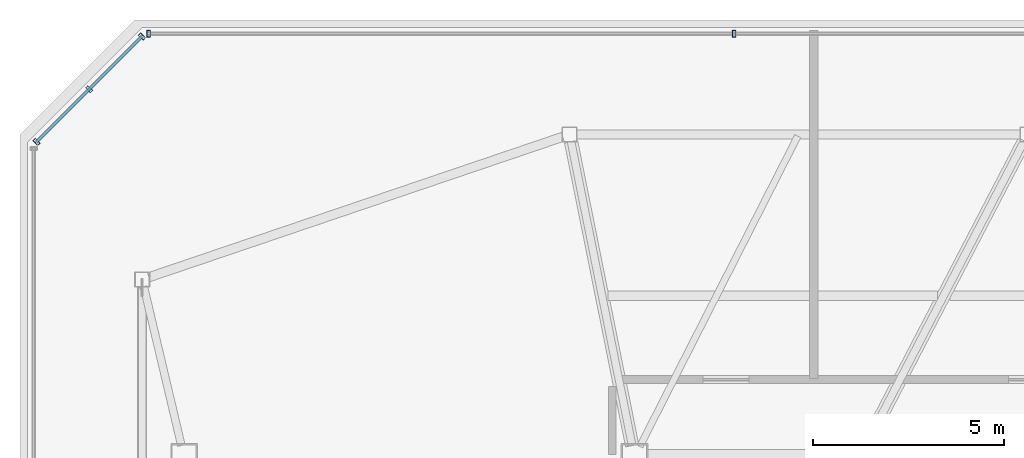
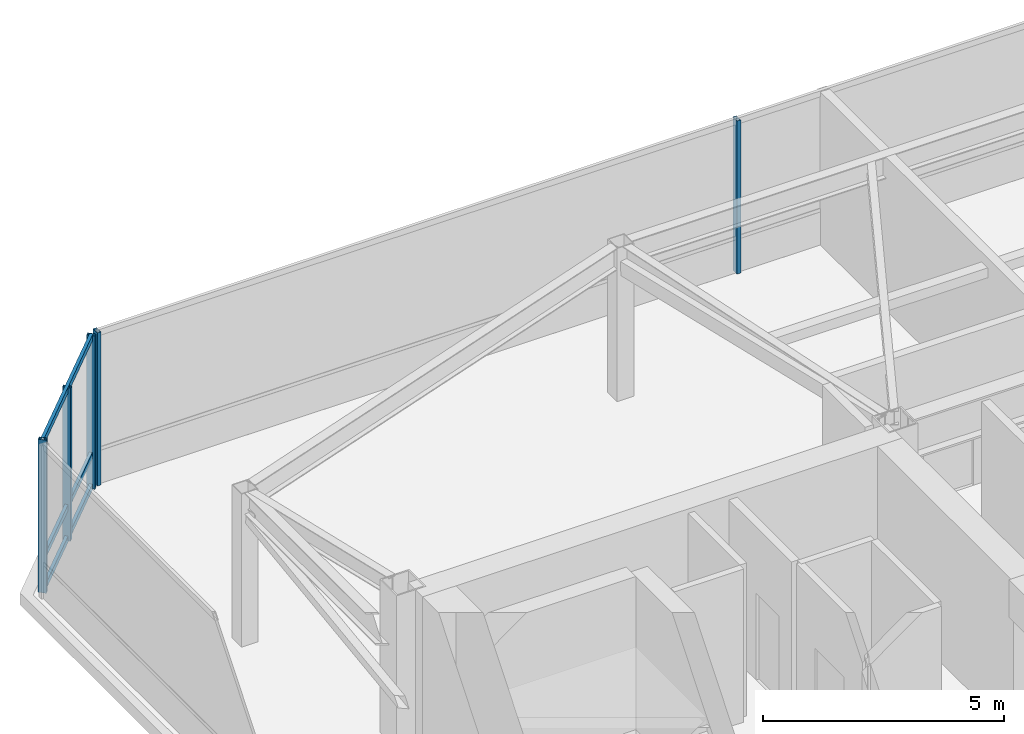
# One storey, part 14 of 22: 8 members, 2 elements without a shape of their own.
"""IFC4 building model written with IfcOpenShell, lengths in metres."""

from ifc_helpers import new_model, si_unit, direction, frame, origin, origin_2d, place, context, subcontext, project, spatial, hollow_rectangle, extrude, material, layer, layer_set, material_profile, profile_set, type_object, element, aggregate, save


model = new_model("IFC4")

# Units and contexts
model_context = context("Model", 3, precision=1e-05, world=origin(), true_north=direction((0.0, 1.0)))
body_context = subcontext(model_context, "Body", "Model", "MODEL_VIEW")
ifc_project = project(units=[si_unit("LENGTHUNIT", "METRE"), si_unit("AREAUNIT", "SQUARE_METRE"), si_unit("VOLUMEUNIT", "CUBIC_METRE"), si_unit("PLANEANGLEUNIT", "RADIAN"), si_unit("MASSUNIT", "GRAM", prefix="KILO")], contexts=[model_context])

# Site, building, storey
site_placement = place(None, origin())
site = spatial("IfcSite", under=ifc_project, at=site_placement, CompositionType="ELEMENT")
building_placement = place(site_placement, origin())
building = spatial("IfcBuilding", under=site, at=building_placement, Name="Tavrogorsk Clinical Tower", CompositionType="ELEMENT")
storey_placement = place(building_placement, frame((0.0, 0.0, 352.800048828125)))
storey = spatial("IfcBuildingStorey", under=building, at=storey_placement, Name="L82", CompositionType="ELEMENT", Elevation=352.800048828125)

# Curtain wall, members
ifc_material_1 = material(Name="Anodised aluminium and triple IGU glazing", Category="aluminium")
ifc_layer = layer(ifc_material_1, 0.179931640625)
ifc_layer_set = layer_set([ifc_layer], Name="Anodised aluminium and triple IGU glazing")
curtain_wall_type = type_object("IfcCurtainWallType", Name="CW5_SkyLobby", PredefinedType="NOTDEFINED", material=ifc_layer_set)
curtain_wall_1_placement = place(storey_placement, origin())
curtain_wall_1 = element("IfcCurtainWall", 1, at=curtain_wall_1_placement, inside=storey, type_object=curtain_wall_type, Name="L82 Curtain Wall CW-L82-DRUM-3", PredefinedType="NOTDEFINED")
ifc_material_2 = material(Name="Anodised aluminium alloy AW-6060", Category="aluminium")
ifc_material_profile_1 = material_profile(ifc_material_2, hollow_rectangle(XDim=0.090087890625, YDim=0.179931640625, WallThickness=0.00634765625, at=origin_2d()), Name="RHS-180x90x6.3")
ifc_profile_set_1 = profile_set([ifc_material_profile_1], Name="Anodised aluminium alloy AW-6060")
member_type_1 = type_object("IfcMemberType", Name="CwMullion_180x90", PredefinedType="MULLION", material=ifc_profile_set_1)
member_1_placement = place(storey_placement, frame((-25.9658203125, 14.60791015625, 0.0), z_axis=(0.0, 0.0, 1.0), x_axis=(0.707106781187, 0.707106781187, 0.0)))
member_1 = element("IfcMember", 2, at=member_1_placement, type_object=member_type_1, Name="CW-L82-DRUM-3 Mullion 1", PredefinedType="MULLION", context=body_context, shape_type="SweptSolid", body=[
    extrude(hollow_rectangle(XDim=0.090087890625, YDim=0.179931640625, WallThickness=0.00634765625, at=origin_2d()), origin(), (0.0, 0.0, 1.0), 3.8798828125),
])
member_2_placement = place(storey_placement, frame((-24.5869140625, 15.98681640625, 0.0), z_axis=(0.0, 0.0, 1.0), x_axis=(0.707106781187, 0.707106781187, 0.0)))
member_2 = element("IfcMember", 3, at=member_2_placement, type_object=member_type_1, Name="CW-L82-DRUM-3 Mullion 2", PredefinedType="MULLION", context=body_context, shape_type="SweptSolid", body=[
    extrude(hollow_rectangle(XDim=0.090087890625, YDim=0.179931640625, WallThickness=0.00634765625, at=origin_2d()), origin(), (0.0, 0.0, 1.0), 3.8798828125),
])
member_3_placement = place(storey_placement, frame((-23.2080078125, 17.36572265625, 0.0), z_axis=(0.0, 0.0, 1.0), x_axis=(0.707106781187, 0.707106781187, 0.0)))
member_3 = element("IfcMember", 4, at=member_3_placement, type_object=member_type_1, Name="CW-L82-DRUM-3 Mullion 3", PredefinedType="MULLION", context=body_context, shape_type="SweptSolid", body=[
    extrude(hollow_rectangle(XDim=0.090087890625, YDim=0.179931640625, WallThickness=0.00634765625, at=origin_2d()), origin(), (0.0, 0.0, 1.0), 3.8798828125),
])

curtain_wall_2_placement = place(storey_placement, origin())
curtain_wall_2 = element("IfcCurtainWall", 5, at=curtain_wall_2_placement, inside=storey, type_object=curtain_wall_type, Name="L82 Curtain Wall CW-L82-DRUM-4", PredefinedType="NOTDEFINED")
member_4_placement = place(storey_placement, frame((-23.02880859375, 17.43994140625, 0.0), z_axis=(0.0, 0.0, 1.0), x_axis=(1.0, 0.0, 0.0)))
member_4 = element("IfcMember", 6, at=member_4_placement, type_object=member_type_1, Name="CW-L82-DRUM-4 Mullion 1", PredefinedType="MULLION", context=body_context, shape_type="SweptSolid", body=[
    extrude(hollow_rectangle(XDim=0.090087890625, YDim=0.179931640625, WallThickness=0.00634765625, at=origin_2d()), origin(), (0.0, 0.0, 1.0), 3.8798828125),
])
member_5_placement = place(storey_placement, frame((-7.691162109375, 17.43994140625, 0.0), z_axis=(0.0, 0.0, 1.0), x_axis=(1.0, 0.0, 0.0)))
member_5 = element("IfcMember", 7, at=member_5_placement, type_object=member_type_1, Name="CW-L82-DRUM-4 Mullion 2", PredefinedType="MULLION", context=body_context, shape_type="SweptSolid", body=[
    extrude(hollow_rectangle(XDim=0.090087890625, YDim=0.179931640625, WallThickness=0.00634765625, at=origin_2d()), origin(), (0.0, 0.0, 1.0), 3.8798828125),
])
aggregate(curtain_wall_2, [member_4, member_5])

# Member
ifc_material_3 = material(Name="Anodised aluminium alloy AW-6060", Category="aluminium")
ifc_material_profile_2 = material_profile(ifc_material_3, hollow_rectangle(XDim=0.074951171875, YDim=0.14990234375, WallThickness=0.0048828125, at=origin_2d()), Name="RHS-150x75x5")
ifc_profile_set_2 = profile_set([ifc_material_profile_2], Name="Anodised aluminium alloy AW-6060")
member_type_2 = type_object("IfcMemberType", Name="CwTransom_150x75", PredefinedType="USERDEFINED", material=ifc_profile_set_2)
member_6_placement = place(storey_placement, frame((-25.9658203125, 14.60791015625, 0.050048828125), z_axis=(0.707106781187, 0.707106781187, 0.0), x_axis=(-0.707106781187, 0.707106781187, 0.0)))
member_6 = element("IfcMember", 8, at=member_6_placement, type_object=member_type_2, Name="CW-L82-DRUM-3 Transom 1", ObjectType="TRANSOM", PredefinedType="USERDEFINED", context=body_context, shape_type="SweptSolid", body=[
    extrude(hollow_rectangle(XDim=0.074951171875, YDim=0.14990234375, WallThickness=0.0048828125, at=origin_2d()), origin(), (0.0, 0.0, 1.0), 3.900146484375),
])

member_7_placement = place(storey_placement, frame((-25.9658203125, 14.60791015625, 0.849853515625), z_axis=(0.707106781187, 0.707106781187, 0.0), x_axis=(-0.707106781187, 0.707106781187, 0.0)))
member_7 = element("IfcMember", 9, at=member_7_placement, type_object=member_type_2, Name="CW-L82-DRUM-3 Transom 2", ObjectType="TRANSOM", PredefinedType="USERDEFINED", context=body_context, shape_type="SweptSolid", body=[
    extrude(hollow_rectangle(XDim=0.074951171875, YDim=0.14990234375, WallThickness=0.0048828125, at=origin_2d()), origin(), (0.0, 0.0, 1.0), 3.900146484375),
])

member_8_placement = place(storey_placement, frame((-25.9658203125, 14.60791015625, 3.829833984375), z_axis=(0.707106781187, 0.707106781187, 0.0), x_axis=(-0.707106781187, 0.707106781187, 0.0)))
member_8 = element("IfcMember", 10, at=member_8_placement, type_object=member_type_2, Name="CW-L82-DRUM-3 Transom 3", ObjectType="TRANSOM", PredefinedType="USERDEFINED", context=body_context, shape_type="SweptSolid", body=[
    extrude(hollow_rectangle(XDim=0.074951171875, YDim=0.14990234375, WallThickness=0.0048828125, at=origin_2d()), origin(), (0.0, 0.0, 1.0), 3.900146484375),
])

aggregate(curtain_wall_1, [member_1, member_2, member_3, member_6, member_7, member_8])

save(model, "model.ifc")
